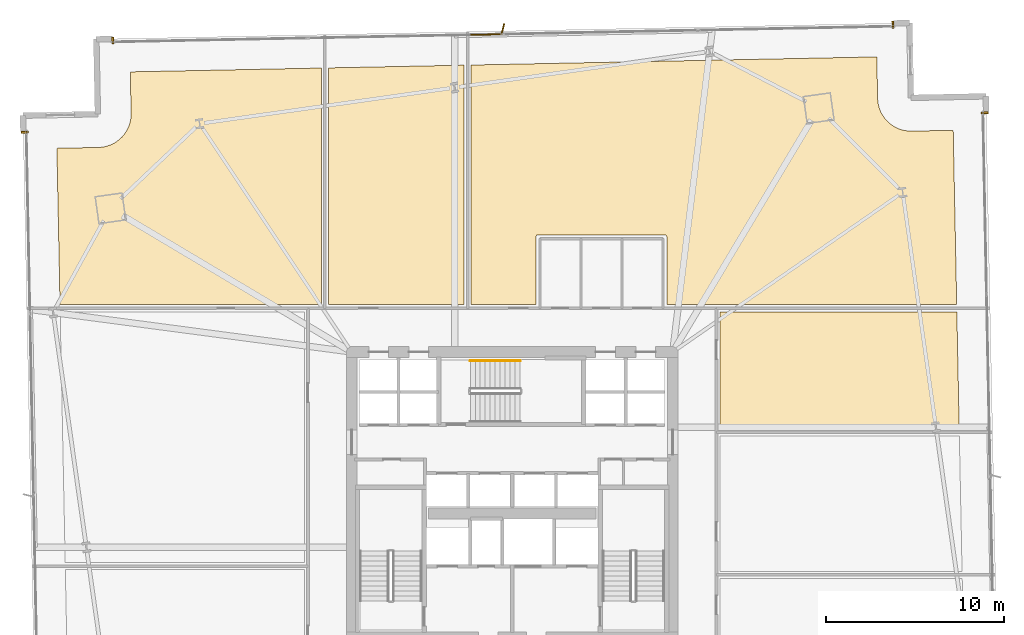
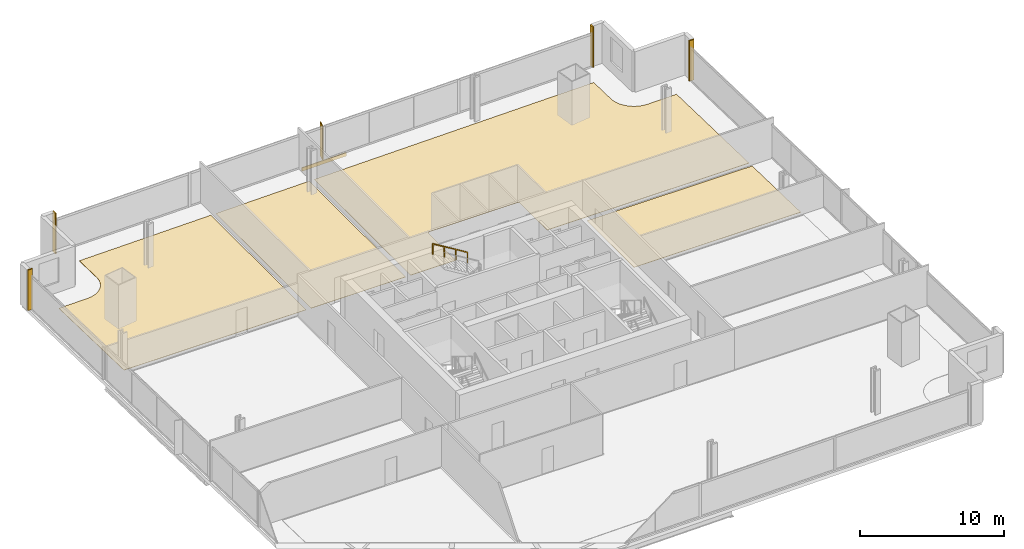
# One storey, part 35 of 35: 9 coverings, 1 railing, 1 shading device.
"""IFC4 building model written with IfcOpenShell, lengths in metres."""

import ifcopenshell
import ifcopenshell.guid

model = None  # the IFC model being written
_history = None  # IfcOwnerHistory: only IFC2X3 demands one
_inside = {}  # id of a spatial element -> (the spatial element, [elements in it])
_under = {}  # id of a project, library or spatial element -> (it, [spatial elements below it])
_declared = {}  # id of a project -> (the project, [libraries it declares])
_typed = {}  # id of a type object -> (the type object, [elements of that type])
_made_of = {}  # id of a material, layer set ... -> (it, [elements and type objects made of it])


def new_model(schema):
    """Start an empty IFC model of exactly this schema.

    Asked for "IFC4X3", IfcOpenShell would pick the latest addendum, in which some entities
    have other attributes; the version numbers below select the first issue.
    IFC2X3 requires an IfcOwnerHistory on every rooted entity: one is made here for all.
    """
    global model, _history
    if schema == "IFC4X3":
        model = ifcopenshell.file(schema_version=(4, 3, 0, 0))
    else:
        model = ifcopenshell.file(schema=schema)
    _inside.clear()
    _under.clear()
    _declared.clear()
    _typed.clear()
    _made_of.clear()
    _history = None
    if model.schema == "IFC2X3":
        org = make("IfcOrganization", Name="unknown")
        user = make(
            "IfcPersonAndOrganization",
            ThePerson=make("IfcPerson", FamilyName="unknown"),
            TheOrganization=org,
        )
        app = make(
            "IfcApplication",
            ApplicationDeveloper=org,
            Version="unknown",
            ApplicationFullName="unknown",
            ApplicationIdentifier="unknown",
        )
        _history = make(
            "IfcOwnerHistory",
            OwningUser=user,
            OwningApplication=app,
            ChangeAction="ADDED",
            CreationDate=0,
        )
    return model


def make(cls, **values):
    """One entity of the class cls with the attributes given. An attribute that is None is left unset."""
    return model.create_entity(
        cls, **{name: value for name, value in values.items() if value is not None}
    )


def rooted(cls, **values):
    """An entity with a GlobalId (a new one), such as an element, a storey or a relation."""
    return make(cls, GlobalId=ifcopenshell.guid.new(), OwnerHistory=_history, **values)


def si_unit(unit_type, name, prefix=None):
    """IfcSIUnit, for example si_unit("LENGTHUNIT", "METRE", prefix="MILLI")."""
    return make("IfcSIUnit", UnitType=unit_type, Prefix=prefix, Name=name)


def assignment(units):
    """IfcUnitAssignment: the units of a project."""
    return None if units is None else make("IfcUnitAssignment", Units=units)


def point(xyz):
    """IfcCartesianPoint."""
    return None if xyz is None else make("IfcCartesianPoint", Coordinates=xyz)


def direction(xyz):
    """IfcDirection."""
    return None if xyz is None else make("IfcDirection", DirectionRatios=xyz)


def frame(location, z_axis=None, x_axis=None):
    """IfcAxis2Placement3D, a coordinate frame: its origin and axes. An axis left out is left unset."""
    return make(
        "IfcAxis2Placement3D",
        Location=point(location),
        Axis=direction(z_axis),
        RefDirection=direction(x_axis),
    )


def frame_2d(location, x_axis=None):
    """IfcAxis2Placement2D, a coordinate frame in the plane: its origin and x axis."""
    return make(
        "IfcAxis2Placement2D", Location=point(location), RefDirection=direction(x_axis)
    )


def origin():
    """The frame at (0, 0, 0) with its axes left unset."""
    return frame((0.0, 0.0, 0.0))


def origin_2d():
    """The frame at (0, 0) in the plane with its x axis left unset."""
    return frame_2d((0.0, 0.0))


def place(relative_to, where):
    """IfcLocalPlacement: puts the frame where relative to a parent placement (None: the world)."""
    return make(
        "IfcLocalPlacement", PlacementRelTo=relative_to, RelativePlacement=where
    )


def context(
    kind, dimensions, precision=None, world=None, true_north=None, identifier=None
):
    """IfcGeometricRepresentationContext, for example the 3D "Model" context."""
    return make(
        "IfcGeometricRepresentationContext",
        ContextIdentifier=identifier,
        ContextType=kind,
        CoordinateSpaceDimension=dimensions,
        Precision=precision,
        WorldCoordinateSystem=world,
        TrueNorth=true_north,
    )


def subcontext(parent, identifier, kind, view, scale=None):
    """IfcGeometricRepresentationSubContext, for example "Body" below "Model"."""
    return make(
        "IfcGeometricRepresentationSubContext",
        ContextIdentifier=identifier,
        ContextType=kind,
        ParentContext=parent,
        TargetScale=scale,
        TargetView=view,
    )


def project(units=None, contexts=None):
    """IfcProject with its units and contexts."""
    return rooted(
        "IfcProject",
        Name="project",
        RepresentationContexts=contexts,
        UnitsInContext=assignment(units),
    )


def spatial(cls, under=None, at=None, **own):
    """A site, building, storey or space (cls), placed at a placement, below another one or the project."""
    s = rooted(cls, ObjectPlacement=at, **own)
    if under is not None:
        _under.setdefault(under.id(), (under, []))[1].append(s)
    return s


def polyline(points):
    """IfcPolyline through the points."""
    return make("IfcPolyline", Points=[point(p) for p in points])


def profile(cls, at=None, kind="AREA", **sizes):
    """A parametric profile (cls). Its sizes go by their IFC names, for example OverallWidth=200.0."""
    return make(cls, ProfileType=kind, Position=at, **sizes)


def rectangle(**sizes):
    """IfcRectangleProfileDef."""
    return profile("IfcRectangleProfileDef", **sizes)


def outline(outer, holes=None, kind="AREA"):
    """IfcArbitraryClosedProfileDef: a profile drawn as a closed curve; with holes, ...WithVoids."""
    if holes is None:
        return make("IfcArbitraryClosedProfileDef", ProfileType=kind, OuterCurve=outer)
    return make(
        "IfcArbitraryProfileDefWithVoids",
        ProfileType=kind,
        OuterCurve=outer,
        InnerCurves=holes,
    )


def extrude(swept, where, along, depth):
    """IfcExtrudedAreaSolid: the profile swept, set in the frame where, extruded along a direction by depth."""
    return make(
        "IfcExtrudedAreaSolid",
        SweptArea=swept,
        Position=where,
        ExtrudedDirection=direction(along),
        Depth=depth,
    )


def shape(context_of_items, identifier, shape_type, items):
    """IfcShapeRepresentation: the items that make up one representation, for example the "Body"."""
    return make(
        "IfcShapeRepresentation",
        ContextOfItems=context_of_items,
        RepresentationIdentifier=identifier,
        RepresentationType=shape_type,
        Items=items,
    )


def source(mapping_origin, context_of_items, identifier, shape_type, items):
    """IfcRepresentationMap: a shape defined once, which mapped items show again and again."""
    return make(
        "IfcRepresentationMap",
        MappingOrigin=mapping_origin,
        MappedRepresentation=shape(context_of_items, identifier, shape_type, items),
    )


def transform(
    local_origin,
    x_axis=None,
    y_axis=None,
    z_axis=None,
    scale=None,
    scale2=None,
    scale3=None,
    uniform=True,
):
    """IfcCartesianTransformationOperator3D, or its non-uniform kind. x_axis, y_axis, z_axis: its Axis1, 2, 3."""
    if uniform:
        return make(
            "IfcCartesianTransformationOperator3D",
            Axis1=direction(x_axis),
            Axis2=direction(y_axis),
            LocalOrigin=point(local_origin),
            Scale=scale,
            Axis3=direction(z_axis),
        )
    return make(
        "IfcCartesianTransformationOperator3DnonUniform",
        Axis1=direction(x_axis),
        Axis2=direction(y_axis),
        LocalOrigin=point(local_origin),
        Scale=scale,
        Axis3=direction(z_axis),
        Scale2=scale2,
        Scale3=scale3,
    )


def mapped(mapping_source, mapping_target):
    """IfcMappedItem: shows the shape of a source again, moved by a transform."""
    return make(
        "IfcMappedItem", MappingSource=mapping_source, MappingTarget=mapping_target
    )


def material(Name=None, Category=None):
    """IfcMaterial."""
    return make("IfcMaterial", Name=Name, Category=Category)


def layer(
    of_material, thickness, ventilated=None, Name=None, Category=None, Priority=None
):
    """IfcMaterialLayer: one layer of a wall or slab, of a material (None: an air gap)."""
    return make(
        "IfcMaterialLayer",
        Material=of_material,
        LayerThickness=thickness,
        IsVentilated=ventilated,
        Name=Name,
        Category=Category,
        Priority=Priority,
    )


def layer_set(layers, Name=None):
    """IfcMaterialLayerSet."""
    return make("IfcMaterialLayerSet", MaterialLayers=layers, LayerSetName=Name)


def made_of(thing, what):
    """Note that an element or type object is made of a material, layer set ...; save() writes the relation."""
    if what is not None:
        _made_of.setdefault(what.id(), (what, []))[1].append(thing)
    return thing


def type_object(cls, material=None, **own):
    """A type object (cls), such as IfcWallType, which elements share."""
    return made_of(rooted(cls, **own), material)


def element(
    cls,
    number,
    at=None,
    inside=None,
    cuts=None,
    type_object=None,
    material=None,
    context=None,
    identifier="Body",
    shape_type=None,
    held_by="IfcProductDefinitionShape",
    body=None,
    shapes=None,
    **own,
):
    """One element of the class cls, such as IfcWall. Its Tag is "e" and its number.

    at: its placement. inside: the storey or other place that contains it. cuts: it is an
    opening in that element (IfcRelVoidsElement). A single representation is given by context,
    identifier, shape_type and body (its items); several are given by shapes. held_by: the class
    of the entity that holds the representations. save() writes the other relations.
    """
    e = rooted(cls, Tag="e%d" % number, ObjectPlacement=at, **own)
    if body is not None:
        shapes = [shape(context, identifier, shape_type, body)]
    if shapes is not None:
        e.Representation = make(held_by, Representations=shapes)
    if inside is not None:
        _inside.setdefault(inside.id(), (inside, []))[1].append(e)
    if cuts is not None:
        rooted(
            "IfcRelVoidsElement", RelatingBuildingElement=cuts, RelatedOpeningElement=e
        )
    if type_object is not None:
        _typed.setdefault(type_object.id(), (type_object, []))[1].append(e)
    return made_of(e, material)


def aggregate(whole, parts):
    """IfcRelAggregates: a whole, such as a stair, and the parts it consists of."""
    return rooted("IfcRelAggregates", RelatingObject=whole, RelatedObjects=parts)


def save(model, path):
    """Write the relations noted so far, then the file.

    IfcRelAggregates (storeys below a building ...), IfcRelContainedInSpatialStructure (elements
    in a storey), IfcRelDefinesByType, IfcRelAssociatesMaterial and IfcRelDeclares: one each for
    every whole, place, type object, material and project.
    """
    for whole, parts in _under.values():
        aggregate(whole, parts)
    for where, things in _inside.values():
        rooted(
            "IfcRelContainedInSpatialStructure",
            RelatedElements=things,
            RelatingStructure=where,
        )
    for kind, things in _typed.values():
        rooted("IfcRelDefinesByType", RelatedObjects=things, RelatingType=kind)
    for what, things in _made_of.values():
        rooted("IfcRelAssociatesMaterial", RelatedObjects=things, RelatingMaterial=what)
    for by, libraries in _declared.values():
        rooted("IfcRelDeclares", RelatingContext=by, RelatedDefinitions=libraries)
    model.write(path)


model = new_model("IFC4")

# Units and contexts
model_context = context("Model", 3, precision=1e-05, world=origin(), true_north=direction((0.0, 1.0)))
body_context = subcontext(model_context, "Body", "Model", "MODEL_VIEW")
ifc_project = project(units=[si_unit("LENGTHUNIT", "METRE"), si_unit("AREAUNIT", "SQUARE_METRE"), si_unit("VOLUMEUNIT", "CUBIC_METRE"), si_unit("PLANEANGLEUNIT", "RADIAN"), si_unit("MASSUNIT", "GRAM", prefix="KILO")], contexts=[model_context])

# Site, building, storey
site_placement = place(None, origin())
site = spatial("IfcSite", under=ifc_project, at=site_placement, CompositionType="ELEMENT")
building_placement = place(site_placement, origin())
building = spatial("IfcBuilding", under=site, at=building_placement, Name="Haldenkirk Collegiate Tower", CompositionType="ELEMENT")
storey_placement = place(building_placement, frame((0.0, 0.0, 32.699951171875)))
storey = spatial("IfcBuildingStorey", under=building, at=storey_placement, Name="L06", CompositionType="ELEMENT", Elevation=32.699951171875)

# Coverings
ifc_material_1 = material(Name="Polished collegiate terrazzo", Category="concrete")
ifc_layer_1 = layer(ifc_material_1, 0.02490234375)
ifc_layer_set_1 = layer_set([ifc_layer_1], Name="Polished collegiate terrazzo")
covering_type_1 = type_object("IfcCoveringType", Name="COV-FLOOR-TERRAZZO", PredefinedType="FLOORING", material=ifc_layer_set_1)
covering_1_placement = place(storey_placement, origin())
element("IfcCovering", 1, at=covering_1_placement, inside=storey, type_object=covering_type_1, Name="L06 academic room finish 04", PredefinedType="FLOORING", context=body_context, shape_type="SweptSolid", body=[
    extrude(outline(polyline([(12.8046875, 45.468505859375), (12.810302734375, 45.46875), (12.981689453125, 45.48046875), (12.99365234375, 45.48193359375), (13.162841796875, 45.510498046875), (13.17431640625, 45.512939453125), (13.340087890625, 45.55810546875), (13.351318359375, 45.561767578125), (13.51171875, 45.622802734375), (13.5224609375, 45.627685546875), (13.67626953125, 45.7041015625), (13.6865234375, 45.709716796875), (13.83203125, 45.801025390625), (13.841796875, 45.807861328125), (13.9775390625, 45.912841796875), (13.986572265625, 45.92041015625), (14.111328125, 46.038330078125), (14.11962890625, 46.046875), (14.232421875, 46.176513671875), (14.23974609375, 46.185791015625), (14.339111328125, 46.32568359375), (14.345458984375, 46.335693359375), (14.430908203125, 46.484619140625), (14.436279296875, 46.4951171875), (14.506591796875, 46.65185546875), (14.5107421875, 46.66259765625), (14.5654296875, 46.825439453125), (14.568603515625, 46.8369140625), (14.60693359375, 47.00439453125), (14.60888671875, 47.015869140625), (14.630859375, 47.186279296875), (14.6318359375, 47.197998046875), (14.63671875, 47.36962890625), (14.63671875, 47.37548828125), (14.590087890625, 49.705078125), (25.300048828125, 49.920166015625), (25.300048828125, 36.64990234375), (10.651123046875, 36.64990234375), (10.47509765625, 45.421630859375), (12.8046875, 45.468505859375)])), origin(), (0.0, 0.0, 1.0), 0.025146484375),
])
covering_2_placement = place(storey_placement, origin())
element("IfcCovering", 2, at=covering_2_placement, inside=storey, type_object=covering_type_1, Name="L06 academic room finish 06", PredefinedType="FLOORING", context=body_context, shape_type="SweptSolid", body=[
    extrude(outline(polyline([(56.44140625, 50.545166015625), (56.48828125, 48.2158203125), (56.488525390625, 48.2099609375), (56.50048828125, 48.03857421875), (56.501708984375, 48.026611328125), (56.530517578125, 47.857421875), (56.532958984375, 47.845947265625), (56.577880859375, 47.68017578125), (56.581787109375, 47.6689453125), (56.642822265625, 47.508544921875), (56.6474609375, 47.497802734375), (56.72412109375, 47.343994140625), (56.729736328125, 47.333740234375), (56.82080078125, 47.188232421875), (56.82763671875, 47.178466796875), (56.932861328125, 47.042724609375), (56.9404296875, 47.03369140625), (57.05810546875, 46.908935546875), (57.066650390625, 46.900634765625), (57.1962890625, 46.787841796875), (57.20556640625, 46.780517578125), (57.345703125, 46.68115234375), (57.35546875, 46.6748046875), (57.50439453125, 46.589599609375), (57.514892578125, 46.583984375), (57.671630859375, 46.513916015625), (57.6826171875, 46.509521484375), (57.845458984375, 46.454833984375), (57.856689453125, 46.45166015625), (58.024169921875, 46.413330078125), (58.035888671875, 46.411376953125), (58.206298828125, 46.389404296875), (58.218017578125, 46.388427734375), (58.3896484375, 46.383544921875), (58.3955078125, 46.383544921875), (60.724853515625, 46.430419921875), (60.92138671875, 36.64990234375), (44.669921875, 36.64990234375), (44.669921875, 40.449951171875), (44.66943359375, 40.4619140625), (44.667724609375, 40.473388671875), (44.664794921875, 40.48486328125), (44.660888671875, 40.495849609375), (44.65576171875, 40.506591796875), (44.64990234375, 40.5166015625), (44.642822265625, 40.526123046875), (44.635009765625, 40.534912109375), (44.626220703125, 40.542724609375), (44.61669921875, 40.5498046875), (44.606689453125, 40.555908203125), (44.595947265625, 40.560791015625), (44.584716796875, 40.564697265625), (44.573486328125, 40.567626953125), (44.561767578125, 40.5693359375), (44.550048828125, 40.570068359375), (37.449951171875, 40.570068359375), (37.438232421875, 40.5693359375), (37.426513671875, 40.567626953125), (37.415283203125, 40.564697265625), (37.404052734375, 40.560791015625), (37.393310546875, 40.555908203125), (37.38330078125, 40.5498046875), (37.373779296875, 40.542724609375), (37.364990234375, 40.534912109375), (37.357177734375, 40.526123046875), (37.35009765625, 40.5166015625), (37.34423828125, 40.506591796875), (37.339111328125, 40.495849609375), (37.335205078125, 40.48486328125), (37.332275390625, 40.473388671875), (37.33056640625, 40.4619140625), (37.330078125, 40.449951171875), (37.330078125, 36.64990234375), (33.699951171875, 36.64990234375), (33.699951171875, 50.088623046875), (56.44140625, 50.545166015625)])), origin(), (0.0, 0.0, 1.0), 0.025146484375),
])
ifc_material_2 = material(Name="Engineered collegiate oak acoustic flooring", Category="wood")
ifc_layer_2 = layer(ifc_material_2, 0.02197265625)
ifc_layer_set_2 = layer_set([ifc_layer_2], Name="Engineered collegiate oak acoustic flooring")
covering_type_2 = type_object("IfcCoveringType", Name="COV-FLOOR-TIMBER", PredefinedType="FLOORING", material=ifc_layer_set_2)
covering_3_placement = place(storey_placement, origin())
element("IfcCovering", 3, at=covering_3_placement, inside=storey, type_object=covering_type_2, Name="L06 academic room finish 05", PredefinedType="FLOORING", context=body_context, shape_type="SweptSolid", body=[
    extrude(outline(polyline([(33.300048828125, 50.080810546875), (33.300048828125, 36.64990234375), (25.699951171875, 36.64990234375), (25.699951171875, 49.927978515625), (33.300048828125, 50.080810546875)])), origin(), (0.0, 0.0, 1.0), 0.02197265625),
])
covering_4_placement = place(storey_placement, origin())
element("IfcCovering", 4, at=covering_4_placement, inside=storey, type_object=covering_type_2, Name="L06 academic room finish 11", PredefinedType="FLOORING", context=body_context, shape_type="SweptSolid", body=[
    extrude(outline(polyline([(61.060791015625, 29.699951171875), (47.64990234375, 29.699951171875), (47.64990234375, 36.25), (60.92919921875, 36.25), (61.060791015625, 29.699951171875)])), origin(), (0.0, 0.0, 1.0), 0.02197265625),
])

# Railing
ifc_material_3 = material(Name="Painted architectural tubular steel", Category="steel")
railing_type = type_object("IfcRailingType", Name="RLG-STAIR-HANDRAIL-900", PredefinedType="HANDRAIL", material=ifc_material_3)
railing_placement = place(storey_placement, frame((36.449951171875, 33.5, 2.04541015625)))
element("IfcRailing", 5, at=railing_placement, inside=storey, type_object=railing_type, Name="L06 ST-3 stair handrail 2", PredefinedType="HANDRAIL", context=body_context, shape_type="SweptSolid", body=[
    extrude(rectangle(XDim=0.048095703125, YDim=0.048095703125, at=origin_2d()), frame((0.0, 0.0, 0.8759765625), z_axis=(-0.854169791009, 0.0, 0.51999420009), x_axis=(0.0, -1.0, 0.0)), (0.0, 0.0, 1.0), 3.278076171875),
    extrude(rectangle(XDim=0.0419921875, YDim=0.0419921875, at=origin_2d()), origin(), (0.0, 0.0, 1.0), 0.851806640625),
    extrude(rectangle(XDim=0.0419921875, YDim=0.0419921875, at=origin_2d()), frame((-0.933349609375, 0.0, 0.568115234375)), (0.0, 0.0, 1.0), 0.851806640625),
    extrude(rectangle(XDim=0.0419921875, YDim=0.0419921875, at=origin_2d()), frame((-1.86669921875, 0.0, 1.136474609375)), (0.0, 0.0, 1.0), 0.851806640625),
    extrude(rectangle(XDim=0.0419921875, YDim=0.0419921875, at=origin_2d()), frame((-2.800048828125, 0.0, 1.70458984375)), (0.0, 0.0, 1.0), 0.851806640625),
])

# Coverings
ifc_material_4 = material(Name="Anodised architectural bronze aluminium", Category="aluminium")
ifc_layer_3 = layer(ifc_material_4, 0.06005859375)
ifc_layer_set_3 = layer_set([ifc_layer_3], Name="Anodised architectural bronze aluminium")
covering_type_3 = type_object("IfcCoveringType", Name="COV-CLAD-BRONZE-60", PredefinedType="CLADDING", material=ifc_layer_set_3)
shared_shape_1 = source(origin(), body_context, "Body", "SweptSolid", [
    extrude(rectangle(XDim=3.60009765625, YDim=0.06005859375, at=origin_2d()), origin(), (0.0, 0.0, 1.0), 0.300048828125),
])
covering_5_placement = place(storey_placement, frame((35.481689453125, 51.814697265625, -0.2998046875), z_axis=(0.0, 0.0, 1.0), x_axis=(0.999798578493, 0.020069938784, 0.0)))
element("IfcCovering", 6, at=covering_5_placement, inside=storey, type_object=covering_type_3, Name="L06 architectural bronze spandrel cladding N", PredefinedType="CLADDING", context=body_context, shape_type="MappedRepresentation", body=[
    mapped(shared_shape_1, transform((0.0, 0.0, 0.0), x_axis=(1.0, 0.0, 0.0), y_axis=(0.0, 1.0, 0.0), z_axis=(0.0, 0.0, 1.0), scale=1.0)),
])
shared_shape_2 = source(origin(), body_context, "Body", "SweptSolid", [
    extrude(rectangle(XDim=0.10009765625, YDim=0.3798828125, at=origin_2d()), origin(), (0.0, 0.0, 1.0), 3.43994140625),
])
for number, where, z_axis, x_axis, name in (
    (7, (62.485595703125, 47.406005859375, 0.0), (0.0, 0.0, 1.0), (0.020069938784, -0.999798578493, 0.0), "L06 recessed curtain-wall bronze jamb closure EJL"),
    (8, (13.614501953125, 51.4658203125, 0.0), (0.0, 0.0, 1.0), (0.999798578493, 0.020069938784, 0.0), "L06 recessed curtain-wall bronze jamb closure NJL"),
    (9, (57.345703125, 52.34375, 0.0), (0.0, 0.0, 1.0), (0.999798578493, 0.020069938784, 0.0), "L06 recessed curtain-wall bronze jamb closure NJR"),
    (10, (8.676513671875, 46.32568359375, 0.0), (0.0, 0.0, 1.0), (-0.020069938784, 0.999798578493, 0.0), "L06 recessed curtain-wall bronze jamb closure WJR"),
):
    element("IfcCovering", number, at=place(storey_placement, frame(where, z_axis=z_axis, x_axis=x_axis)), inside=storey, type_object=covering_type_3, Name=name, PredefinedType="CLADDING", context=body_context, shape_type="MappedRepresentation", body=[
        mapped(shared_shape_2, transform((0.0, 0.0, 0.0), x_axis=(1.0, 0.0, 0.0), y_axis=(0.0, 1.0, 0.0), z_axis=(0.0, 0.0, 1.0), scale=1.0)),
    ])

# Shading device
ifc_layer_4 = layer(ifc_material_4, 0.06494140625)
ifc_layer_set_4 = layer_set([ifc_layer_4], Name="Anodised architectural bronze aluminium")
shading_device_type = type_object("IfcShadingDeviceType", Name="SHD-FIN-BRONZE-620", PredefinedType="USERDEFINED", material=ifc_layer_set_4)
shared_shape_3 = source(origin(), body_context, "Body", "SweptSolid", [
    extrude(rectangle(XDim=0.6201171875, YDim=0.06494140625, at=origin_2d()), origin(), (0.0, 0.0, 1.0), 2.89111328125),
])
shading_device_placement = place(storey_placement, frame((35.475830078125, 52.109619140625, 0.0), z_axis=(0.0, 0.0, 1.0), x_axis=(0.256289373133, 0.966600102017, 0.0)))
element("IfcShadingDevice", 11, at=shading_device_placement, inside=storey, type_object=shading_device_type, Name="L06 folded bronze solar fin 1", ObjectType="FIN", PredefinedType="USERDEFINED", context=body_context, shape_type="MappedRepresentation", body=[
    mapped(shared_shape_3, transform((0.0, 0.0, 0.0), x_axis=(1.0, 0.0, 0.0), y_axis=(0.0, 1.0, 0.0), z_axis=(0.0, 0.0, 1.0), scale=1.0)),
])

save(model, "model.ifc")
